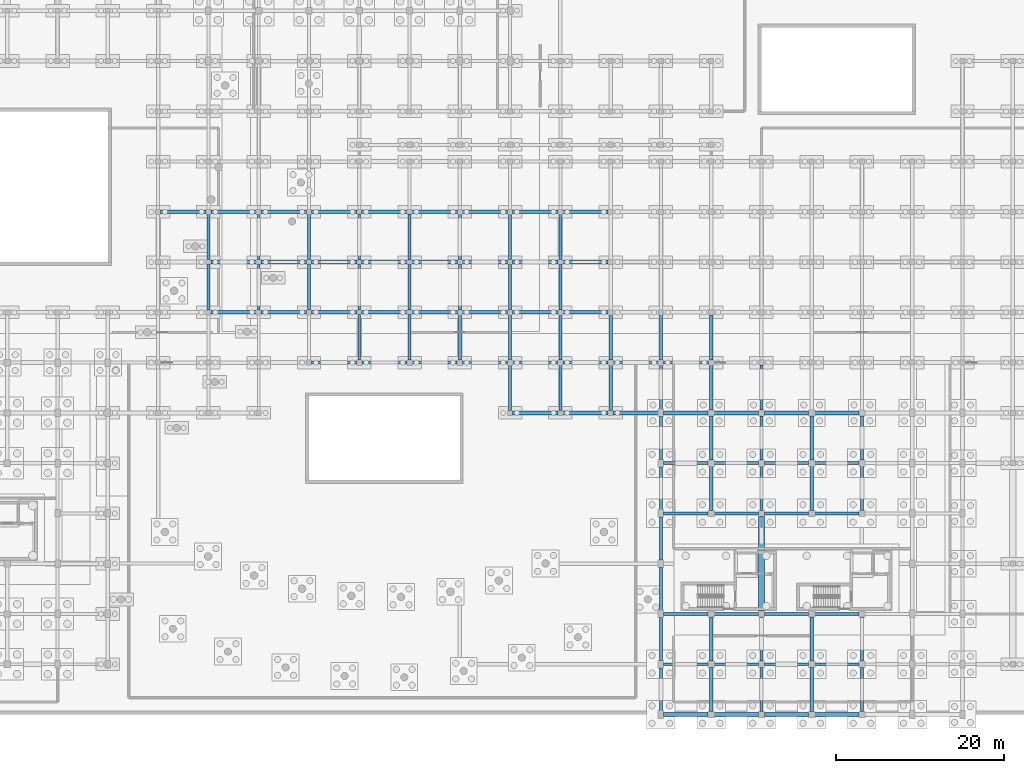
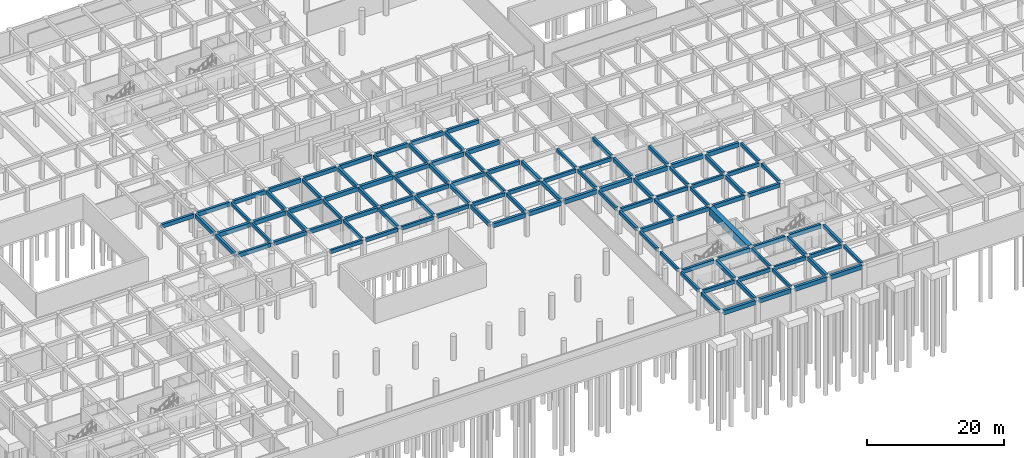
# One storey, part 17 of 41: 113 beams.
"""IFC4 building model written with IfcOpenShell, lengths in metres."""

import ifcopenshell
import ifcopenshell.guid

model = None  # the IFC model being written
_history = None  # IfcOwnerHistory: only IFC2X3 demands one
_inside = {}  # id of a spatial element -> (the spatial element, [elements in it])
_under = {}  # id of a project, library or spatial element -> (it, [spatial elements below it])
_declared = {}  # id of a project -> (the project, [libraries it declares])
_typed = {}  # id of a type object -> (the type object, [elements of that type])
_made_of = {}  # id of a material, layer set ... -> (it, [elements and type objects made of it])


def new_model(schema):
    """Start an empty IFC model of exactly this schema.

    Asked for "IFC4X3", IfcOpenShell would pick the latest addendum, in which some entities
    have other attributes; the version numbers below select the first issue.
    IFC2X3 requires an IfcOwnerHistory on every rooted entity: one is made here for all.
    """
    global model, _history
    if schema == "IFC4X3":
        model = ifcopenshell.file(schema_version=(4, 3, 0, 0))
    else:
        model = ifcopenshell.file(schema=schema)
    _inside.clear()
    _under.clear()
    _declared.clear()
    _typed.clear()
    _made_of.clear()
    _history = None
    if model.schema == "IFC2X3":
        org = make("IfcOrganization", Name="unknown")
        user = make(
            "IfcPersonAndOrganization",
            ThePerson=make("IfcPerson", FamilyName="unknown"),
            TheOrganization=org,
        )
        app = make(
            "IfcApplication",
            ApplicationDeveloper=org,
            Version="unknown",
            ApplicationFullName="unknown",
            ApplicationIdentifier="unknown",
        )
        _history = make(
            "IfcOwnerHistory",
            OwningUser=user,
            OwningApplication=app,
            ChangeAction="ADDED",
            CreationDate=0,
        )
    return model


def make(cls, **values):
    """One entity of the class cls with the attributes given. An attribute that is None is left unset."""
    return model.create_entity(
        cls, **{name: value for name, value in values.items() if value is not None}
    )


def rooted(cls, **values):
    """An entity with a GlobalId (a new one), such as an element, a storey or a relation."""
    return make(cls, GlobalId=ifcopenshell.guid.new(), OwnerHistory=_history, **values)


def si_unit(unit_type, name, prefix=None):
    """IfcSIUnit, for example si_unit("LENGTHUNIT", "METRE", prefix="MILLI")."""
    return make("IfcSIUnit", UnitType=unit_type, Prefix=prefix, Name=name)


def assignment(units):
    """IfcUnitAssignment: the units of a project."""
    return None if units is None else make("IfcUnitAssignment", Units=units)


def point(xyz):
    """IfcCartesianPoint."""
    return None if xyz is None else make("IfcCartesianPoint", Coordinates=xyz)


def direction(xyz):
    """IfcDirection."""
    return None if xyz is None else make("IfcDirection", DirectionRatios=xyz)


def frame(location, z_axis=None, x_axis=None):
    """IfcAxis2Placement3D, a coordinate frame: its origin and axes. An axis left out is left unset."""
    return make(
        "IfcAxis2Placement3D",
        Location=point(location),
        Axis=direction(z_axis),
        RefDirection=direction(x_axis),
    )


def frame_2d(location, x_axis=None):
    """IfcAxis2Placement2D, a coordinate frame in the plane: its origin and x axis."""
    return make(
        "IfcAxis2Placement2D", Location=point(location), RefDirection=direction(x_axis)
    )


def origin():
    """The frame at (0, 0, 0) with its axes left unset."""
    return frame((0.0, 0.0, 0.0))


def origin_2d():
    """The frame at (0, 0) in the plane with its x axis left unset."""
    return frame_2d((0.0, 0.0))


def place(relative_to, where):
    """IfcLocalPlacement: puts the frame where relative to a parent placement (None: the world)."""
    return make(
        "IfcLocalPlacement", PlacementRelTo=relative_to, RelativePlacement=where
    )


def context(
    kind, dimensions, precision=None, world=None, true_north=None, identifier=None
):
    """IfcGeometricRepresentationContext, for example the 3D "Model" context."""
    return make(
        "IfcGeometricRepresentationContext",
        ContextIdentifier=identifier,
        ContextType=kind,
        CoordinateSpaceDimension=dimensions,
        Precision=precision,
        WorldCoordinateSystem=world,
        TrueNorth=true_north,
    )


def subcontext(parent, identifier, kind, view, scale=None):
    """IfcGeometricRepresentationSubContext, for example "Body" below "Model"."""
    return make(
        "IfcGeometricRepresentationSubContext",
        ContextIdentifier=identifier,
        ContextType=kind,
        ParentContext=parent,
        TargetScale=scale,
        TargetView=view,
    )


def project(units=None, contexts=None):
    """IfcProject with its units and contexts."""
    return rooted(
        "IfcProject",
        Name="project",
        RepresentationContexts=contexts,
        UnitsInContext=assignment(units),
    )


def spatial(cls, under=None, at=None, **own):
    """A site, building, storey or space (cls), placed at a placement, below another one or the project."""
    s = rooted(cls, ObjectPlacement=at, **own)
    if under is not None:
        _under.setdefault(under.id(), (under, []))[1].append(s)
    return s


def profile(cls, at=None, kind="AREA", **sizes):
    """A parametric profile (cls). Its sizes go by their IFC names, for example OverallWidth=200.0."""
    return make(cls, ProfileType=kind, Position=at, **sizes)


def rectangle(**sizes):
    """IfcRectangleProfileDef."""
    return profile("IfcRectangleProfileDef", **sizes)


def extrude(swept, where, along, depth):
    """IfcExtrudedAreaSolid: the profile swept, set in the frame where, extruded along a direction by depth."""
    return make(
        "IfcExtrudedAreaSolid",
        SweptArea=swept,
        Position=where,
        ExtrudedDirection=direction(along),
        Depth=depth,
    )


def shape(context_of_items, identifier, shape_type, items):
    """IfcShapeRepresentation: the items that make up one representation, for example the "Body"."""
    return make(
        "IfcShapeRepresentation",
        ContextOfItems=context_of_items,
        RepresentationIdentifier=identifier,
        RepresentationType=shape_type,
        Items=items,
    )


def material(Name=None, Category=None):
    """IfcMaterial."""
    return make("IfcMaterial", Name=Name, Category=Category)


def material_profile(
    of_material, cross_section, Name=None, Category=None, Priority=None
):
    """IfcMaterialProfile: a cross section and its material."""
    return make(
        "IfcMaterialProfile",
        Name=Name,
        Material=of_material,
        Profile=cross_section,
        Priority=Priority,
        Category=Category,
    )


def profile_set(profiles, Name=None, composite=None):
    """IfcMaterialProfileSet."""
    return make(
        "IfcMaterialProfileSet",
        Name=Name,
        MaterialProfiles=profiles,
        CompositeProfile=composite,
    )


def made_of(thing, what):
    """Note that an element or type object is made of a material, layer set ...; save() writes the relation."""
    if what is not None:
        _made_of.setdefault(what.id(), (what, []))[1].append(thing)
    return thing


def type_object(cls, material=None, **own):
    """A type object (cls), such as IfcWallType, which elements share."""
    return made_of(rooted(cls, **own), material)


def element(
    cls,
    number,
    at=None,
    inside=None,
    cuts=None,
    type_object=None,
    material=None,
    context=None,
    identifier="Body",
    shape_type=None,
    held_by="IfcProductDefinitionShape",
    body=None,
    shapes=None,
    **own,
):
    """One element of the class cls, such as IfcWall. Its Tag is "e" and its number.

    at: its placement. inside: the storey or other place that contains it. cuts: it is an
    opening in that element (IfcRelVoidsElement). A single representation is given by context,
    identifier, shape_type and body (its items); several are given by shapes. held_by: the class
    of the entity that holds the representations. save() writes the other relations.
    """
    e = rooted(cls, Tag="e%d" % number, ObjectPlacement=at, **own)
    if body is not None:
        shapes = [shape(context, identifier, shape_type, body)]
    if shapes is not None:
        e.Representation = make(held_by, Representations=shapes)
    if inside is not None:
        _inside.setdefault(inside.id(), (inside, []))[1].append(e)
    if cuts is not None:
        rooted(
            "IfcRelVoidsElement", RelatingBuildingElement=cuts, RelatedOpeningElement=e
        )
    if type_object is not None:
        _typed.setdefault(type_object.id(), (type_object, []))[1].append(e)
    return made_of(e, material)


def aggregate(whole, parts):
    """IfcRelAggregates: a whole, such as a stair, and the parts it consists of."""
    return rooted("IfcRelAggregates", RelatingObject=whole, RelatedObjects=parts)


def save(model, path):
    """Write the relations noted so far, then the file.

    IfcRelAggregates (storeys below a building ...), IfcRelContainedInSpatialStructure (elements
    in a storey), IfcRelDefinesByType, IfcRelAssociatesMaterial and IfcRelDeclares: one each for
    every whole, place, type object, material and project.
    """
    for whole, parts in _under.values():
        aggregate(whole, parts)
    for where, things in _inside.values():
        rooted(
            "IfcRelContainedInSpatialStructure",
            RelatedElements=things,
            RelatingStructure=where,
        )
    for kind, things in _typed.values():
        rooted("IfcRelDefinesByType", RelatedObjects=things, RelatingType=kind)
    for what, things in _made_of.values():
        rooted("IfcRelAssociatesMaterial", RelatedObjects=things, RelatingMaterial=what)
    for by, libraries in _declared.values():
        rooted("IfcRelDeclares", RelatingContext=by, RelatedDefinitions=libraries)
    model.write(path)


model = new_model("IFC4")

# Units and contexts
model_context = context("Model", 3, precision=1e-05, world=origin(), true_north=direction((0.0, 1.0)))
body_context = subcontext(model_context, "Body", "Model", "MODEL_VIEW")
ifc_project = project(units=[si_unit("LENGTHUNIT", "METRE"), si_unit("AREAUNIT", "SQUARE_METRE"), si_unit("VOLUMEUNIT", "CUBIC_METRE"), si_unit("PLANEANGLEUNIT", "RADIAN"), si_unit("MASSUNIT", "GRAM", prefix="KILO"), si_unit("POWERUNIT", "WATT"), si_unit("THERMODYNAMICTEMPERATUREUNIT", "KELVIN")], contexts=[model_context])

# Site, building, storey
site_placement = place(None, origin())
site = spatial("IfcSite", under=ifc_project, at=site_placement, CompositionType="ELEMENT")
building_placement = place(site_placement, origin())
building = spatial("IfcBuilding", under=site, at=building_placement, Name="Ruvembo Vaulted Housing Court", CompositionType="ELEMENT")
storey_placement = place(building_placement, frame((0.0, 0.0, -4.5)))
storey = spatial("IfcBuildingStorey", under=building, at=storey_placement, Name="B1", CompositionType="ELEMENT", Elevation=-4.5)

# Beams
ifc_material_1 = material(Name="Concrete C35/45", Category="concrete")
ifc_material_profile_1 = material_profile(ifc_material_1, rectangle(XDim=0.35009765625, YDim=0.60009765625, at=origin_2d()), Name="RC 350x600")
ifc_profile_set_1 = profile_set([ifc_material_profile_1], Name="Concrete C35/45")
beam_type_1 = type_object("IfcBeamType", Name="BM-RC-350x600", PredefinedType="BEAM", material=ifc_profile_set_1)
for number, where, z_axis, x_axis, name in (
    (1, (54.0, 48.284912109375, 3.9150390625), (0.0, 1.0, 0.0), (-1.0, 0.0, 0.0), "B1 Grid Beam Y #479"),
    (2, (54.0, 54.284912109375, 3.9150390625), (0.0, 1.0, 0.0), (-1.0, 0.0, 0.0), "B1 Grid Beam Y #480"),
):
    element("IfcBeam", number, at=place(storey_placement, frame(where, z_axis=z_axis, x_axis=x_axis)), inside=storey, type_object=beam_type_1, Name=name, PredefinedType="BEAM", context=body_context, shape_type="SweptSolid", body=[
        extrude(rectangle(XDim=0.35009765625, YDim=0.60009765625, at=origin_2d()), origin(), (0.0, 0.0, 1.0), 5.43017578125),
    ])
beam_1_placement = place(storey_placement, frame((66.0, 42.31005859375, 3.9150390625), z_axis=(0.0, 1.0, 0.0), x_axis=(-1.0, 0.0, 0.0)))
element("IfcBeam", 3, at=beam_1_placement, inside=storey, type_object=beam_type_1, Name="B1 Grid Beam Y #499", PredefinedType="BEAM", context=body_context, shape_type="SweptSolid", body=[
    extrude(rectangle(XDim=0.35009765625, YDim=0.60009765625, at=origin_2d()), origin(), (0.0, 0.0, 1.0), 5.429931640625),
])
for number, where, z_axis, x_axis, name in (
    (4, (66.0, 48.260009765625, 3.9150390625), (0.0, 1.0, 0.0), (-1.0, 0.0, 0.0), "B1 Grid Beam Y #500"),
    (5, (66.0, 54.260009765625, 3.9150390625), (0.0, 1.0, 0.0), (-1.0, 0.0, 0.0), "B1 Grid Beam Y #501"),
):
    element("IfcBeam", number, at=place(storey_placement, frame(where, z_axis=z_axis, x_axis=x_axis)), inside=storey, type_object=beam_type_1, Name=name, PredefinedType="BEAM", context=body_context, shape_type="SweptSolid", body=[
        extrude(rectangle(XDim=0.35009765625, YDim=0.60009765625, at=origin_2d()), origin(), (0.0, 0.0, 1.0), 5.47998046875),
    ])
beam_2_placement = place(storey_placement, frame((78.0, 42.31005859375, 3.9150390625), z_axis=(0.0, 1.0, 0.0), x_axis=(-1.0, 0.0, 0.0)))
element("IfcBeam", 6, at=beam_2_placement, inside=storey, type_object=beam_type_1, Name="B1 Grid Beam Y #517", PredefinedType="BEAM", context=body_context, shape_type="SweptSolid", body=[
    extrude(rectangle(XDim=0.35009765625, YDim=0.60009765625, at=origin_2d()), origin(), (0.0, 0.0, 1.0), 5.405029296875),
])
for number, where, z_axis, x_axis, name in (
    (7, (78.0, 48.284912109375, 3.9150390625), (0.0, 1.0, 0.0), (-1.0, 0.0, 0.0), "B1 Grid Beam Y #518"),
    (8, (78.0, 54.284912109375, 3.9150390625), (0.0, 1.0, 0.0), (-1.0, 0.0, 0.0), "B1 Grid Beam Y #519"),
):
    element("IfcBeam", number, at=place(storey_placement, frame(where, z_axis=z_axis, x_axis=x_axis)), inside=storey, type_object=beam_type_1, Name=name, PredefinedType="BEAM", context=body_context, shape_type="SweptSolid", body=[
        extrude(rectangle(XDim=0.35009765625, YDim=0.60009765625, at=origin_2d()), origin(), (0.0, 0.0, 1.0), 5.43017578125),
    ])
for number, where, z_axis, x_axis, name in (
    (9, (90.0, 36.284912109375, 3.9150390625), (0.0, 1.0, 0.0), (-1.0, 0.0, 0.0), "B1 Grid Beam Y #540"),
    (10, (90.0, 42.31005859375, 3.9150390625), (0.0, 1.0, 0.0), (-1.0, 0.0, 0.0), "B1 Grid Beam Y #541"),
):
    element("IfcBeam", number, at=place(storey_placement, frame(where, z_axis=z_axis, x_axis=x_axis)), inside=storey, type_object=beam_type_1, Name=name, PredefinedType="BEAM", context=body_context, shape_type="SweptSolid", body=[
        extrude(rectangle(XDim=0.35009765625, YDim=0.60009765625, at=origin_2d()), origin(), (0.0, 0.0, 1.0), 5.405029296875),
    ])
for number, where, z_axis, x_axis, name in (
    (11, (90.0, 48.284912109375, 3.9150390625), (0.0, 1.0, 0.0), (-1.0, 0.0, 0.0), "B1 Grid Beam Y #542"),
    (12, (90.0, 54.284912109375, 3.9150390625), (0.0, 1.0, 0.0), (-1.0, 0.0, 0.0), "B1 Grid Beam Y #543"),
):
    element("IfcBeam", number, at=place(storey_placement, frame(where, z_axis=z_axis, x_axis=x_axis)), inside=storey, type_object=beam_type_1, Name=name, PredefinedType="BEAM", context=body_context, shape_type="SweptSolid", body=[
        extrude(rectangle(XDim=0.35009765625, YDim=0.60009765625, at=origin_2d()), origin(), (0.0, 0.0, 1.0), 5.43017578125),
    ])
for number, where, z_axis, x_axis, name in (
    (13, (102.0, 0.43505859375, 3.9150390625), (0.0, 1.0, 0.0), (-1.0, 0.0, 0.0), "B1 Grid Beam Y #552"),
    (14, (102.0, 6.43505859375, 3.9150390625), (0.0, 1.0, 0.0), (-1.0, 0.0, 0.0), "B1 Grid Beam Y #553"),
    (15, (102.0, 12.43505859375, 3.9150390625), (0.0, 1.0, 0.0), (-1.0, 0.0, 0.0), "B1 Grid Beam Y #554"),
    (16, (102.0, 18.43505859375, 3.9150390625), (0.0, 1.0, 0.0), (-1.0, 0.0, 0.0), "B1 Grid Beam Y #555"),
    (17, (102.0, 24.43505859375, 3.9150390625), (0.0, 1.0, 0.0), (-1.0, 0.0, 0.0), "B1 Grid Beam Y #556"),
    (18, (102.0, 30.43505859375, 3.9150390625), (0.0, 1.0, 0.0), (-1.0, 0.0, 0.0), "B1 Grid Beam Y #557"),
):
    element("IfcBeam", number, at=place(storey_placement, frame(where, z_axis=z_axis, x_axis=x_axis)), inside=storey, type_object=beam_type_1, Name=name, PredefinedType="BEAM", context=body_context, shape_type="SweptSolid", body=[
        extrude(rectangle(XDim=0.35009765625, YDim=0.60009765625, at=origin_2d()), origin(), (0.0, 0.0, 1.0), 5.1298828125),
    ])
beam_3_placement = place(storey_placement, frame((102.0, 36.43505859375, 3.9150390625), z_axis=(0.0, 1.0, 0.0), x_axis=(-1.0, 0.0, 0.0)))
element("IfcBeam", 19, at=beam_3_placement, inside=storey, type_object=beam_type_1, Name="B1 Grid Beam Y #558", PredefinedType="BEAM", context=body_context, shape_type="SweptSolid", body=[
    extrude(rectangle(XDim=0.35009765625, YDim=0.60009765625, at=origin_2d()), origin(), (0.0, 0.0, 1.0), 5.2548828125),
])
beam_4_placement = place(storey_placement, frame((102.0, 42.31005859375, 3.9150390625), z_axis=(0.0, 1.0, 0.0), x_axis=(-1.0, 0.0, 0.0)))
element("IfcBeam", 20, at=beam_4_placement, inside=storey, type_object=beam_type_1, Name="B1 Grid Beam Y #559", PredefinedType="BEAM", context=body_context, shape_type="SweptSolid", body=[
    extrude(rectangle(XDim=0.35009765625, YDim=0.60009765625, at=origin_2d()), origin(), (0.0, 0.0, 1.0), 5.405029296875),
])
for number, where, z_axis, x_axis, name in (
    (21, (114.0, 0.360107421875, 3.9150390625), (0.0, 1.0, 0.0), (-1.0, 0.0, 0.0), "B1 Grid Beam Y #574"),
    (22, (114.0, 6.360107421875, 3.9150390625), (0.0, 1.0, 0.0), (-1.0, 0.0, 0.0), "B1 Grid Beam Y #575"),
    (23, (114.0, 24.360107421875, 3.9150390625), (0.0, 1.0, 0.0), (-1.0, 0.0, 0.0), "B1 Grid Beam Y #577"),
    (24, (114.0, 30.360107421875, 3.9150390625), (0.0, 1.0, 0.0), (-1.0, 0.0, 0.0), "B1 Grid Beam Y #578"),
):
    element("IfcBeam", number, at=place(storey_placement, frame(where, z_axis=z_axis, x_axis=x_axis)), inside=storey, type_object=beam_type_1, Name=name, PredefinedType="BEAM", context=body_context, shape_type="SweptSolid", body=[
        extrude(rectangle(XDim=0.35009765625, YDim=0.60009765625, at=origin_2d()), origin(), (0.0, 0.0, 1.0), 5.27978515625),
    ])
beam_5_placement = place(storey_placement, frame((114.0, 36.360107421875, 3.9150390625), z_axis=(0.0, 1.0, 0.0), x_axis=(-1.0, 0.0, 0.0)))
element("IfcBeam", 25, at=beam_5_placement, inside=storey, type_object=beam_type_1, Name="B1 Grid Beam Y #579", PredefinedType="BEAM", context=body_context, shape_type="SweptSolid", body=[
    extrude(rectangle(XDim=0.35009765625, YDim=0.60009765625, at=origin_2d()), origin(), (0.0, 0.0, 1.0), 5.35498046875),
])
for number, where, z_axis, x_axis, name in (
    (26, (126.0, 0.360107421875, 3.9150390625), (0.0, 1.0, 0.0), (-1.0, 0.0, 0.0), "B1 Grid Beam Y #593"),
    (27, (126.0, 6.360107421875, 3.9150390625), (0.0, 1.0, 0.0), (-1.0, 0.0, 0.0), "B1 Grid Beam Y #594"),
    (28, (126.0, 24.360107421875, 3.9150390625), (0.0, 1.0, 0.0), (-1.0, 0.0, 0.0), "B1 Grid Beam Y #595"),
    (29, (126.0, 30.360107421875, 3.9150390625), (0.0, 1.0, 0.0), (-1.0, 0.0, 0.0), "B1 Grid Beam Y #596"),
):
    element("IfcBeam", number, at=place(storey_placement, frame(where, z_axis=z_axis, x_axis=x_axis)), inside=storey, type_object=beam_type_1, Name=name, PredefinedType="BEAM", context=body_context, shape_type="SweptSolid", body=[
        extrude(rectangle(XDim=0.35009765625, YDim=0.60009765625, at=origin_2d()), origin(), (0.0, 0.0, 1.0), 5.27978515625),
    ])
ifc_material_profile_2 = material_profile(ifc_material_1, rectangle(XDim=0.35009765625, YDim=0.64990234375, at=origin_2d()), Name="RC 350x650")
ifc_profile_set_2 = profile_set([ifc_material_profile_2], Name="Concrete C35/45")
beam_type_2 = type_object("IfcBeamType", Name="BM-RC-350x650", PredefinedType="BEAM", material=ifc_profile_set_2)
beam_6_placement = place(storey_placement, frame((102.31005859375, 6.0, 3.889892578125), z_axis=(1.0, 0.0, 0.0), x_axis=(0.0, 1.0, 0.0)))
element("IfcBeam", 30, at=beam_6_placement, inside=storey, type_object=beam_type_2, Name="B1 Grid Beam X #13", PredefinedType="BEAM", context=body_context, shape_type="SweptSolid", body=[
    extrude(rectangle(XDim=0.35009765625, YDim=0.64990234375, at=origin_2d()), origin(), (0.0, 0.0, 1.0), 5.329833984375),
])
for number, where, z_axis, x_axis, name in (
    (31, (108.360107421875, 6.0, 3.889892578125), (1.0, 0.0, 0.0), (0.0, 1.0, 0.0), "B1 Grid Beam X #14"),
    (32, (114.360107421875, 6.0, 3.889892578125), (1.0, 0.0, 0.0), (0.0, 1.0, 0.0), "B1 Grid Beam X #15"),
    (33, (120.360107421875, 6.0, 3.889892578125), (1.0, 0.0, 0.0), (0.0, 1.0, 0.0), "B1 Grid Beam X #16"),
):
    element("IfcBeam", number, at=place(storey_placement, frame(where, z_axis=z_axis, x_axis=x_axis)), inside=storey, type_object=beam_type_2, Name=name, PredefinedType="BEAM", context=body_context, shape_type="SweptSolid", body=[
        extrude(rectangle(XDim=0.35009765625, YDim=0.64990234375, at=origin_2d()), origin(), (0.0, 0.0, 1.0), 5.27978515625),
    ])
beam_7_placement = place(storey_placement, frame((102.31005859375, 30.0, 3.889892578125), z_axis=(1.0, 0.0, 0.0), x_axis=(0.0, 1.0, 0.0)))
element("IfcBeam", 34, at=beam_7_placement, inside=storey, type_object=beam_type_2, Name="B1 Grid Beam X #67", PredefinedType="BEAM", context=body_context, shape_type="SweptSolid", body=[
    extrude(rectangle(XDim=0.35009765625, YDim=0.64990234375, at=origin_2d()), origin(), (0.0, 0.0, 1.0), 5.329833984375),
])
for number, where, z_axis, x_axis, name in (
    (35, (108.360107421875, 30.0, 3.889892578125), (1.0, 0.0, 0.0), (0.0, 1.0, 0.0), "B1 Grid Beam X #68"),
    (36, (114.360107421875, 30.0, 3.889892578125), (1.0, 0.0, 0.0), (0.0, 1.0, 0.0), "B1 Grid Beam X #69"),
    (37, (120.360107421875, 30.0, 3.889892578125), (1.0, 0.0, 0.0), (0.0, 1.0, 0.0), "B1 Grid Beam X #70"),
):
    element("IfcBeam", number, at=place(storey_placement, frame(where, z_axis=z_axis, x_axis=x_axis)), inside=storey, type_object=beam_type_2, Name=name, PredefinedType="BEAM", context=body_context, shape_type="SweptSolid", body=[
        extrude(rectangle(XDim=0.35009765625, YDim=0.64990234375, at=origin_2d()), origin(), (0.0, 0.0, 1.0), 5.27978515625),
    ])
beam_8_placement = place(storey_placement, frame((60.284912109375, 42.0, 3.889892578125), z_axis=(1.0, 0.0, 0.0), x_axis=(0.0, 1.0, 0.0)))
element("IfcBeam", 38, at=beam_8_placement, inside=storey, type_object=beam_type_2, Name="B1 Grid Beam X #117", PredefinedType="BEAM", context=body_context, shape_type="SweptSolid", body=[
    extrude(rectangle(XDim=0.35009765625, YDim=0.64990234375, at=origin_2d()), origin(), (0.0, 0.0, 1.0), 5.405029296875),
])
for number, where, z_axis, x_axis, name in (
    (39, (66.31005859375, 42.0, 3.889892578125), (1.0, 0.0, 0.0), (0.0, 1.0, 0.0), "B1 Grid Beam X #118"),
    (40, (72.31005859375, 42.0, 3.889892578125), (1.0, 0.0, 0.0), (0.0, 1.0, 0.0), "B1 Grid Beam X #119"),
    (41, (78.31005859375, 42.0, 3.889892578125), (1.0, 0.0, 0.0), (0.0, 1.0, 0.0), "B1 Grid Beam X #120"),
    (42, (84.31005859375, 42.0, 3.889892578125), (1.0, 0.0, 0.0), (0.0, 1.0, 0.0), "B1 Grid Beam X #121"),
    (43, (90.31005859375, 42.0, 3.889892578125), (1.0, 0.0, 0.0), (0.0, 1.0, 0.0), "B1 Grid Beam X #122"),
    (44, (96.31005859375, 42.0, 3.889892578125), (1.0, 0.0, 0.0), (0.0, 1.0, 0.0), "B1 Grid Beam X #123"),
    (45, (102.31005859375, 42.0, 3.889892578125), (1.0, 0.0, 0.0), (0.0, 1.0, 0.0), "B1 Grid Beam X #124"),
):
    element("IfcBeam", number, at=place(storey_placement, frame(where, z_axis=z_axis, x_axis=x_axis)), inside=storey, type_object=beam_type_2, Name=name, PredefinedType="BEAM", context=body_context, shape_type="SweptSolid", body=[
        extrude(rectangle(XDim=0.35009765625, YDim=0.64990234375, at=origin_2d()), origin(), (0.0, 0.0, 1.0), 5.3798828125),
    ])
ifc_material_profile_3 = material_profile(ifc_material_1, rectangle(XDim=0.39990234375, YDim=0.699951171875, at=origin_2d()), Name="RC 400x700")
ifc_profile_set_3 = profile_set([ifc_material_profile_3], Name="Concrete C35/45")
beam_type_3 = type_object("IfcBeamType", Name="BM-RC-400x700", PredefinedType="BEAM", material=ifc_profile_set_3)
beam_9_placement = place(storey_placement, frame((102.31005859375, 12.0, 3.864990234375), z_axis=(1.0, 0.0, 0.0), x_axis=(0.0, 1.0, 0.0)))
element("IfcBeam", 46, at=beam_9_placement, inside=storey, type_object=beam_type_3, Name="B1 Grid Beam X #33", PredefinedType="BEAM", context=body_context, shape_type="SweptSolid", body=[
    extrude(rectangle(XDim=0.39990234375, YDim=0.699951171875, at=origin_2d()), origin(), (0.0, 0.0, 1.0), 5.329833984375),
])
for number, where, z_axis, x_axis, name in (
    (47, (108.360107421875, 12.0, 3.864990234375), (1.0, 0.0, 0.0), (0.0, 1.0, 0.0), "B1 Grid Beam X #34"),
    (48, (114.360107421875, 12.0, 3.864990234375), (1.0, 0.0, 0.0), (0.0, 1.0, 0.0), "B1 Grid Beam X #35"),
    (49, (120.360107421875, 12.0, 3.864990234375), (1.0, 0.0, 0.0), (0.0, 1.0, 0.0), "B1 Grid Beam X #36"),
):
    element("IfcBeam", number, at=place(storey_placement, frame(where, z_axis=z_axis, x_axis=x_axis)), inside=storey, type_object=beam_type_3, Name=name, PredefinedType="BEAM", context=body_context, shape_type="SweptSolid", body=[
        extrude(rectangle(XDim=0.39990234375, YDim=0.699951171875, at=origin_2d()), origin(), (0.0, 0.0, 1.0), 5.27978515625),
    ])
beam_10_placement = place(storey_placement, frame((102.31005859375, 24.0, 3.864990234375), z_axis=(1.0, 0.0, 0.0), x_axis=(0.0, 1.0, 0.0)))
element("IfcBeam", 50, at=beam_10_placement, inside=storey, type_object=beam_type_3, Name="B1 Grid Beam X #55", PredefinedType="BEAM", context=body_context, shape_type="SweptSolid", body=[
    extrude(rectangle(XDim=0.39990234375, YDim=0.699951171875, at=origin_2d()), origin(), (0.0, 0.0, 1.0), 5.329833984375),
])
for number, where, z_axis, x_axis, name in (
    (51, (108.360107421875, 24.0, 3.864990234375), (1.0, 0.0, 0.0), (0.0, 1.0, 0.0), "B1 Grid Beam X #56"),
    (52, (114.360107421875, 24.0, 3.864990234375), (1.0, 0.0, 0.0), (0.0, 1.0, 0.0), "B1 Grid Beam X #57"),
    (53, (120.360107421875, 24.0, 3.864990234375), (1.0, 0.0, 0.0), (0.0, 1.0, 0.0), "B1 Grid Beam X #58"),
):
    element("IfcBeam", number, at=place(storey_placement, frame(where, z_axis=z_axis, x_axis=x_axis)), inside=storey, type_object=beam_type_3, Name=name, PredefinedType="BEAM", context=body_context, shape_type="SweptSolid", body=[
        extrude(rectangle(XDim=0.39990234375, YDim=0.699951171875, at=origin_2d()), origin(), (0.0, 0.0, 1.0), 5.27978515625),
    ])
for number, where, z_axis, x_axis, name in (
    (54, (48.284912109375, 48.0, 3.864990234375), (1.0, 0.0, 0.0), (0.0, 1.0, 0.0), "B1 Grid Beam X #146"),
    (55, (54.284912109375, 48.0, 3.864990234375), (1.0, 0.0, 0.0), (0.0, 1.0, 0.0), "B1 Grid Beam X #147"),
):
    element("IfcBeam", number, at=place(storey_placement, frame(where, z_axis=z_axis, x_axis=x_axis)), inside=storey, type_object=beam_type_3, Name=name, PredefinedType="BEAM", context=body_context, shape_type="SweptSolid", body=[
        extrude(rectangle(XDim=0.39990234375, YDim=0.699951171875, at=origin_2d()), origin(), (0.0, 0.0, 1.0), 5.43017578125),
    ])
beam_11_placement = place(storey_placement, frame((60.284912109375, 48.0, 3.864990234375), z_axis=(1.0, 0.0, 0.0), x_axis=(0.0, 1.0, 0.0)))
element("IfcBeam", 56, at=beam_11_placement, inside=storey, type_object=beam_type_3, Name="B1 Grid Beam X #148", PredefinedType="BEAM", context=body_context, shape_type="SweptSolid", body=[
    extrude(rectangle(XDim=0.39990234375, YDim=0.699951171875, at=origin_2d()), origin(), (0.0, 0.0, 1.0), 5.455078125),
])
beam_12_placement = place(storey_placement, frame((66.260009765625, 48.0, 3.864990234375), z_axis=(1.0, 0.0, 0.0), x_axis=(0.0, 1.0, 0.0)))
element("IfcBeam", 57, at=beam_12_placement, inside=storey, type_object=beam_type_3, Name="B1 Grid Beam X #149", PredefinedType="BEAM", context=body_context, shape_type="SweptSolid", body=[
    extrude(rectangle(XDim=0.39990234375, YDim=0.699951171875, at=origin_2d()), origin(), (0.0, 0.0, 1.0), 5.47998046875),
])
beam_13_placement = place(storey_placement, frame((72.260009765625, 48.0, 3.864990234375), z_axis=(1.0, 0.0, 0.0), x_axis=(0.0, 1.0, 0.0)))
element("IfcBeam", 58, at=beam_13_placement, inside=storey, type_object=beam_type_3, Name="B1 Grid Beam X #150", PredefinedType="BEAM", context=body_context, shape_type="SweptSolid", body=[
    extrude(rectangle(XDim=0.39990234375, YDim=0.699951171875, at=origin_2d()), origin(), (0.0, 0.0, 1.0), 5.455078125),
])
for number, where, z_axis, x_axis, name in (
    (59, (78.284912109375, 48.0, 3.864990234375), (1.0, 0.0, 0.0), (0.0, 1.0, 0.0), "B1 Grid Beam X #151"),
    (60, (84.284912109375, 48.0, 3.864990234375), (1.0, 0.0, 0.0), (0.0, 1.0, 0.0), "B1 Grid Beam X #152"),
    (61, (90.284912109375, 48.0, 3.864990234375), (1.0, 0.0, 0.0), (0.0, 1.0, 0.0), "B1 Grid Beam X #153"),
    (62, (42.284912109375, 60.0, 3.864990234375), (1.0, 0.0, 0.0), (0.0, 1.0, 0.0), "B1 Grid Beam X #197"),
    (63, (48.284912109375, 60.0, 3.864990234375), (1.0, 0.0, 0.0), (0.0, 1.0, 0.0), "B1 Grid Beam X #198"),
    (64, (54.284912109375, 60.0, 3.864990234375), (1.0, 0.0, 0.0), (0.0, 1.0, 0.0), "B1 Grid Beam X #199"),
):
    element("IfcBeam", number, at=place(storey_placement, frame(where, z_axis=z_axis, x_axis=x_axis)), inside=storey, type_object=beam_type_3, Name=name, PredefinedType="BEAM", context=body_context, shape_type="SweptSolid", body=[
        extrude(rectangle(XDim=0.39990234375, YDim=0.699951171875, at=origin_2d()), origin(), (0.0, 0.0, 1.0), 5.43017578125),
    ])
beam_14_placement = place(storey_placement, frame((60.284912109375, 60.0, 3.864990234375), z_axis=(1.0, 0.0, 0.0), x_axis=(0.0, 1.0, 0.0)))
element("IfcBeam", 65, at=beam_14_placement, inside=storey, type_object=beam_type_3, Name="B1 Grid Beam X #200", PredefinedType="BEAM", context=body_context, shape_type="SweptSolid", body=[
    extrude(rectangle(XDim=0.39990234375, YDim=0.699951171875, at=origin_2d()), origin(), (0.0, 0.0, 1.0), 5.455078125),
])
beam_15_placement = place(storey_placement, frame((66.260009765625, 60.0, 3.864990234375), z_axis=(1.0, 0.0, 0.0), x_axis=(0.0, 1.0, 0.0)))
element("IfcBeam", 66, at=beam_15_placement, inside=storey, type_object=beam_type_3, Name="B1 Grid Beam X #201", PredefinedType="BEAM", context=body_context, shape_type="SweptSolid", body=[
    extrude(rectangle(XDim=0.39990234375, YDim=0.699951171875, at=origin_2d()), origin(), (0.0, 0.0, 1.0), 5.47998046875),
])
beam_16_placement = place(storey_placement, frame((72.260009765625, 60.0, 3.864990234375), z_axis=(1.0, 0.0, 0.0), x_axis=(0.0, 1.0, 0.0)))
element("IfcBeam", 67, at=beam_16_placement, inside=storey, type_object=beam_type_3, Name="B1 Grid Beam X #202", PredefinedType="BEAM", context=body_context, shape_type="SweptSolid", body=[
    extrude(rectangle(XDim=0.39990234375, YDim=0.699951171875, at=origin_2d()), origin(), (0.0, 0.0, 1.0), 5.455078125),
])
for number, where, z_axis, x_axis, name in (
    (68, (78.284912109375, 60.0, 3.864990234375), (1.0, 0.0, 0.0), (0.0, 1.0, 0.0), "B1 Grid Beam X #203"),
    (69, (84.284912109375, 60.0, 3.864990234375), (1.0, 0.0, 0.0), (0.0, 1.0, 0.0), "B1 Grid Beam X #204"),
    (70, (90.284912109375, 60.0, 3.864990234375), (1.0, 0.0, 0.0), (0.0, 1.0, 0.0), "B1 Grid Beam X #205"),
    (71, (48.0, 48.284912109375, 3.864990234375), (0.0, 1.0, 0.0), (-1.0, 0.0, 0.0), "B1 Grid Beam Y #466"),
    (72, (48.0, 54.284912109375, 3.864990234375), (0.0, 1.0, 0.0), (-1.0, 0.0, 0.0), "B1 Grid Beam Y #467"),
    (73, (60.0, 48.284912109375, 3.864990234375), (0.0, 1.0, 0.0), (-1.0, 0.0, 0.0), "B1 Grid Beam Y #489"),
    (74, (60.0, 54.284912109375, 3.864990234375), (0.0, 1.0, 0.0), (-1.0, 0.0, 0.0), "B1 Grid Beam Y #490"),
):
    element("IfcBeam", number, at=place(storey_placement, frame(where, z_axis=z_axis, x_axis=x_axis)), inside=storey, type_object=beam_type_3, Name=name, PredefinedType="BEAM", context=body_context, shape_type="SweptSolid", body=[
        extrude(rectangle(XDim=0.39990234375, YDim=0.699951171875, at=origin_2d()), origin(), (0.0, 0.0, 1.0), 5.43017578125),
    ])
beam_17_placement = place(storey_placement, frame((72.0, 42.31005859375, 3.864990234375), z_axis=(0.0, 1.0, 0.0), x_axis=(-1.0, 0.0, 0.0)))
element("IfcBeam", 75, at=beam_17_placement, inside=storey, type_object=beam_type_3, Name="B1 Grid Beam Y #508", PredefinedType="BEAM", context=body_context, shape_type="SweptSolid", body=[
    extrude(rectangle(XDim=0.39990234375, YDim=0.699951171875, at=origin_2d()), origin(), (0.0, 0.0, 1.0), 5.429931640625),
])
for number, where, z_axis, x_axis, name in (
    (76, (72.0, 48.260009765625, 3.864990234375), (0.0, 1.0, 0.0), (-1.0, 0.0, 0.0), "B1 Grid Beam Y #509"),
    (77, (72.0, 54.260009765625, 3.864990234375), (0.0, 1.0, 0.0), (-1.0, 0.0, 0.0), "B1 Grid Beam Y #510"),
):
    element("IfcBeam", number, at=place(storey_placement, frame(where, z_axis=z_axis, x_axis=x_axis)), inside=storey, type_object=beam_type_3, Name=name, PredefinedType="BEAM", context=body_context, shape_type="SweptSolid", body=[
        extrude(rectangle(XDim=0.39990234375, YDim=0.699951171875, at=origin_2d()), origin(), (0.0, 0.0, 1.0), 5.47998046875),
    ])
for number, where, z_axis, x_axis, name in (
    (78, (84.0, 36.284912109375, 3.864990234375), (0.0, 1.0, 0.0), (-1.0, 0.0, 0.0), "B1 Grid Beam Y #528"),
    (79, (84.0, 42.31005859375, 3.864990234375), (0.0, 1.0, 0.0), (-1.0, 0.0, 0.0), "B1 Grid Beam Y #529"),
):
    element("IfcBeam", number, at=place(storey_placement, frame(where, z_axis=z_axis, x_axis=x_axis)), inside=storey, type_object=beam_type_3, Name=name, PredefinedType="BEAM", context=body_context, shape_type="SweptSolid", body=[
        extrude(rectangle(XDim=0.39990234375, YDim=0.699951171875, at=origin_2d()), origin(), (0.0, 0.0, 1.0), 5.405029296875),
    ])
for number, where, z_axis, x_axis, name in (
    (80, (84.0, 48.284912109375, 3.864990234375), (0.0, 1.0, 0.0), (-1.0, 0.0, 0.0), "B1 Grid Beam Y #530"),
    (81, (84.0, 54.284912109375, 3.864990234375), (0.0, 1.0, 0.0), (-1.0, 0.0, 0.0), "B1 Grid Beam Y #531"),
):
    element("IfcBeam", number, at=place(storey_placement, frame(where, z_axis=z_axis, x_axis=x_axis)), inside=storey, type_object=beam_type_3, Name=name, PredefinedType="BEAM", context=body_context, shape_type="SweptSolid", body=[
        extrude(rectangle(XDim=0.39990234375, YDim=0.699951171875, at=origin_2d()), origin(), (0.0, 0.0, 1.0), 5.43017578125),
    ])
for number, where, z_axis, x_axis, name in (
    (82, (96.0, 36.284912109375, 3.864990234375), (0.0, 1.0, 0.0), (-1.0, 0.0, 0.0), "B1 Grid Beam Y #546"),
    (83, (96.0, 42.31005859375, 3.864990234375), (0.0, 1.0, 0.0), (-1.0, 0.0, 0.0), "B1 Grid Beam Y #547"),
):
    element("IfcBeam", number, at=place(storey_placement, frame(where, z_axis=z_axis, x_axis=x_axis)), inside=storey, type_object=beam_type_3, Name=name, PredefinedType="BEAM", context=body_context, shape_type="SweptSolid", body=[
        extrude(rectangle(XDim=0.39990234375, YDim=0.699951171875, at=origin_2d()), origin(), (0.0, 0.0, 1.0), 5.405029296875),
    ])
for number, where, z_axis, x_axis, name in (
    (84, (108.0, 0.360107421875, 3.864990234375), (0.0, 1.0, 0.0), (-1.0, 0.0, 0.0), "B1 Grid Beam Y #564"),
    (85, (108.0, 6.360107421875, 3.864990234375), (0.0, 1.0, 0.0), (-1.0, 0.0, 0.0), "B1 Grid Beam Y #565"),
    (86, (108.0, 24.360107421875, 3.864990234375), (0.0, 1.0, 0.0), (-1.0, 0.0, 0.0), "B1 Grid Beam Y #566"),
    (87, (108.0, 30.360107421875, 3.864990234375), (0.0, 1.0, 0.0), (-1.0, 0.0, 0.0), "B1 Grid Beam Y #567"),
):
    element("IfcBeam", number, at=place(storey_placement, frame(where, z_axis=z_axis, x_axis=x_axis)), inside=storey, type_object=beam_type_3, Name=name, PredefinedType="BEAM", context=body_context, shape_type="SweptSolid", body=[
        extrude(rectangle(XDim=0.39990234375, YDim=0.699951171875, at=origin_2d()), origin(), (0.0, 0.0, 1.0), 5.27978515625),
    ])
beam_18_placement = place(storey_placement, frame((108.0, 36.360107421875, 3.864990234375), z_axis=(0.0, 1.0, 0.0), x_axis=(-1.0, 0.0, 0.0)))
element("IfcBeam", 88, at=beam_18_placement, inside=storey, type_object=beam_type_3, Name="B1 Grid Beam Y #568", PredefinedType="BEAM", context=body_context, shape_type="SweptSolid", body=[
    extrude(rectangle(XDim=0.39990234375, YDim=0.699951171875, at=origin_2d()), origin(), (0.0, 0.0, 1.0), 5.329833984375),
])
beam_19_placement = place(storey_placement, frame((108.0, 42.31005859375, 3.864990234375), z_axis=(0.0, 1.0, 0.0), x_axis=(-1.0, 0.0, 0.0)))
element("IfcBeam", 89, at=beam_19_placement, inside=storey, type_object=beam_type_3, Name="B1 Grid Beam Y #569", PredefinedType="BEAM", context=body_context, shape_type="SweptSolid", body=[
    extrude(rectangle(XDim=0.39990234375, YDim=0.699951171875, at=origin_2d()), origin(), (0.0, 0.0, 1.0), 5.3798828125),
])
for number, where, z_axis, x_axis, name in (
    (90, (120.0, 0.360107421875, 3.864990234375), (0.0, 1.0, 0.0), (-1.0, 0.0, 0.0), "B1 Grid Beam Y #584"),
    (91, (120.0, 6.360107421875, 3.864990234375), (0.0, 1.0, 0.0), (-1.0, 0.0, 0.0), "B1 Grid Beam Y #585"),
    (92, (120.0, 24.360107421875, 3.864990234375), (0.0, 1.0, 0.0), (-1.0, 0.0, 0.0), "B1 Grid Beam Y #586"),
    (93, (120.0, 30.360107421875, 3.864990234375), (0.0, 1.0, 0.0), (-1.0, 0.0, 0.0), "B1 Grid Beam Y #587"),
):
    element("IfcBeam", number, at=place(storey_placement, frame(where, z_axis=z_axis, x_axis=x_axis)), inside=storey, type_object=beam_type_3, Name=name, PredefinedType="BEAM", context=body_context, shape_type="SweptSolid", body=[
        extrude(rectangle(XDim=0.39990234375, YDim=0.699951171875, at=origin_2d()), origin(), (0.0, 0.0, 1.0), 5.27978515625),
    ])
ifc_material_profile_4 = material_profile(ifc_material_1, rectangle(XDim=0.449951171875, YDim=0.75, at=origin_2d()), Name="RC 450x750")
ifc_profile_set_4 = profile_set([ifc_material_profile_4], Name="Concrete C35/45")
beam_type_4 = type_object("IfcBeamType", Name="BM-RC-450x750", PredefinedType="BEAM", material=ifc_profile_set_4)
beam_20_placement = place(storey_placement, frame((102.31005859375, 0.0, 3.840087890625), z_axis=(1.0, 0.0, 0.0), x_axis=(0.0, 1.0, 0.0)))
element("IfcBeam", 94, at=beam_20_placement, inside=storey, type_object=beam_type_4, Name="B1 Grid Beam X #1", PredefinedType="BEAM", context=body_context, shape_type="SweptSolid", body=[
    extrude(rectangle(XDim=0.449951171875, YDim=0.75, at=origin_2d()), origin(), (0.0, 0.0, 1.0), 5.329833984375),
])
for number, where, z_axis, x_axis, name in (
    (95, (108.360107421875, 0.0, 3.840087890625), (1.0, 0.0, 0.0), (0.0, 1.0, 0.0), "B1 Grid Beam X #2"),
    (96, (114.360107421875, 0.0, 3.840087890625), (1.0, 0.0, 0.0), (0.0, 1.0, 0.0), "B1 Grid Beam X #3"),
    (97, (120.360107421875, 0.0, 3.840087890625), (1.0, 0.0, 0.0), (0.0, 1.0, 0.0), "B1 Grid Beam X #4"),
):
    element("IfcBeam", number, at=place(storey_placement, frame(where, z_axis=z_axis, x_axis=x_axis)), inside=storey, type_object=beam_type_4, Name=name, PredefinedType="BEAM", context=body_context, shape_type="SweptSolid", body=[
        extrude(rectangle(XDim=0.449951171875, YDim=0.75, at=origin_2d()), origin(), (0.0, 0.0, 1.0), 5.27978515625),
    ])
for number, where, z_axis, x_axis, name in (
    (98, (84.284912109375, 36.0, 3.840087890625), (1.0, 0.0, 0.0), (0.0, 1.0, 0.0), "B1 Grid Beam X #90"),
    (99, (90.284912109375, 36.0, 3.840087890625), (1.0, 0.0, 0.0), (0.0, 1.0, 0.0), "B1 Grid Beam X #91"),
):
    element("IfcBeam", number, at=place(storey_placement, frame(where, z_axis=z_axis, x_axis=x_axis)), inside=storey, type_object=beam_type_4, Name=name, PredefinedType="BEAM", context=body_context, shape_type="SweptSolid", body=[
        extrude(rectangle(XDim=0.449951171875, YDim=0.75, at=origin_2d()), origin(), (0.0, 0.0, 1.0), 5.43017578125),
    ])
beam_21_placement = place(storey_placement, frame((96.284912109375, 36.0, 3.840087890625), z_axis=(1.0, 0.0, 0.0), x_axis=(0.0, 1.0, 0.0)))
element("IfcBeam", 100, at=beam_21_placement, inside=storey, type_object=beam_type_4, Name="B1 Grid Beam X #92", PredefinedType="BEAM", context=body_context, shape_type="SweptSolid", body=[
    extrude(rectangle(XDim=0.449951171875, YDim=0.75, at=origin_2d()), origin(), (0.0, 0.0, 1.0), 5.405029296875),
])
beam_22_placement = place(storey_placement, frame((102.31005859375, 36.0, 3.840087890625), z_axis=(1.0, 0.0, 0.0), x_axis=(0.0, 1.0, 0.0)))
element("IfcBeam", 101, at=beam_22_placement, inside=storey, type_object=beam_type_4, Name="B1 Grid Beam X #93", PredefinedType="BEAM", context=body_context, shape_type="SweptSolid", body=[
    extrude(rectangle(XDim=0.449951171875, YDim=0.75, at=origin_2d()), origin(), (0.0, 0.0, 1.0), 5.329833984375),
])
for number, where, z_axis, x_axis, name in (
    (102, (108.360107421875, 36.0, 3.840087890625), (1.0, 0.0, 0.0), (0.0, 1.0, 0.0), "B1 Grid Beam X #94"),
    (103, (114.360107421875, 36.0, 3.840087890625), (1.0, 0.0, 0.0), (0.0, 1.0, 0.0), "B1 Grid Beam X #95"),
    (104, (120.360107421875, 36.0, 3.840087890625), (1.0, 0.0, 0.0), (0.0, 1.0, 0.0), "B1 Grid Beam X #96"),
):
    element("IfcBeam", number, at=place(storey_placement, frame(where, z_axis=z_axis, x_axis=x_axis)), inside=storey, type_object=beam_type_4, Name=name, PredefinedType="BEAM", context=body_context, shape_type="SweptSolid", body=[
        extrude(rectangle(XDim=0.449951171875, YDim=0.75, at=origin_2d()), origin(), (0.0, 0.0, 1.0), 5.27978515625),
    ])
for number, where, z_axis, x_axis, name in (
    (105, (48.284912109375, 54.0, 3.840087890625), (1.0, 0.0, 0.0), (0.0, 1.0, 0.0), "B1 Grid Beam X #172"),
    (106, (54.284912109375, 54.0, 3.840087890625), (1.0, 0.0, 0.0), (0.0, 1.0, 0.0), "B1 Grid Beam X #173"),
):
    element("IfcBeam", number, at=place(storey_placement, frame(where, z_axis=z_axis, x_axis=x_axis)), inside=storey, type_object=beam_type_4, Name=name, PredefinedType="BEAM", context=body_context, shape_type="SweptSolid", body=[
        extrude(rectangle(XDim=0.449951171875, YDim=0.75, at=origin_2d()), origin(), (0.0, 0.0, 1.0), 5.43017578125),
    ])
beam_23_placement = place(storey_placement, frame((60.284912109375, 54.0, 3.840087890625), z_axis=(1.0, 0.0, 0.0), x_axis=(0.0, 1.0, 0.0)))
element("IfcBeam", 107, at=beam_23_placement, inside=storey, type_object=beam_type_4, Name="B1 Grid Beam X #174", PredefinedType="BEAM", context=body_context, shape_type="SweptSolid", body=[
    extrude(rectangle(XDim=0.449951171875, YDim=0.75, at=origin_2d()), origin(), (0.0, 0.0, 1.0), 5.455078125),
])
beam_24_placement = place(storey_placement, frame((66.260009765625, 54.0, 3.840087890625), z_axis=(1.0, 0.0, 0.0), x_axis=(0.0, 1.0, 0.0)))
element("IfcBeam", 108, at=beam_24_placement, inside=storey, type_object=beam_type_4, Name="B1 Grid Beam X #175", PredefinedType="BEAM", context=body_context, shape_type="SweptSolid", body=[
    extrude(rectangle(XDim=0.449951171875, YDim=0.75, at=origin_2d()), origin(), (0.0, 0.0, 1.0), 5.47998046875),
])
beam_25_placement = place(storey_placement, frame((72.260009765625, 54.0, 3.840087890625), z_axis=(1.0, 0.0, 0.0), x_axis=(0.0, 1.0, 0.0)))
element("IfcBeam", 109, at=beam_25_placement, inside=storey, type_object=beam_type_4, Name="B1 Grid Beam X #176", PredefinedType="BEAM", context=body_context, shape_type="SweptSolid", body=[
    extrude(rectangle(XDim=0.449951171875, YDim=0.75, at=origin_2d()), origin(), (0.0, 0.0, 1.0), 5.455078125),
])
for number, where, z_axis, x_axis, name in (
    (110, (78.284912109375, 54.0, 3.840087890625), (1.0, 0.0, 0.0), (0.0, 1.0, 0.0), "B1 Grid Beam X #177"),
    (111, (84.284912109375, 54.0, 3.840087890625), (1.0, 0.0, 0.0), (0.0, 1.0, 0.0), "B1 Grid Beam X #178"),
    (112, (90.284912109375, 54.0, 3.840087890625), (1.0, 0.0, 0.0), (0.0, 1.0, 0.0), "B1 Grid Beam X #179"),
):
    element("IfcBeam", number, at=place(storey_placement, frame(where, z_axis=z_axis, x_axis=x_axis)), inside=storey, type_object=beam_type_4, Name=name, PredefinedType="BEAM", context=body_context, shape_type="SweptSolid", body=[
        extrude(rectangle(XDim=0.449951171875, YDim=0.75, at=origin_2d()), origin(), (0.0, 0.0, 1.0), 5.43017578125),
    ])
ifc_material_2 = material(Name="Concrete C40/50", Category="concrete")
ifc_material_profile_5 = material_profile(ifc_material_2, rectangle(XDim=0.75, YDim=1.300048828125, at=origin_2d()), Name="RC 750x1300")
ifc_profile_set_5 = profile_set([ifc_material_profile_5], Name="Concrete C40/50")
beam_type_5 = type_object("IfcBeamType", Name="TB-RC-750x1300", PredefinedType="BEAM", material=ifc_profile_set_5)
beam_26_placement = place(storey_placement, frame((114.0, 12.360107421875, 3.56494140625), z_axis=(0.0, 1.0, 0.0), x_axis=(-1.0, 0.0, 0.0)))
element("IfcBeam", 113, at=beam_26_placement, inside=storey, type_object=beam_type_5, Name="B1 Grid Beam Y #576", PredefinedType="BEAM", context=body_context, shape_type="SweptSolid", body=[
    extrude(rectangle(XDim=0.75, YDim=1.300048828125, at=origin_2d()), origin(), (0.0, 0.0, 1.0), 11.27978515625),
])

save(model, "model.ifc")
